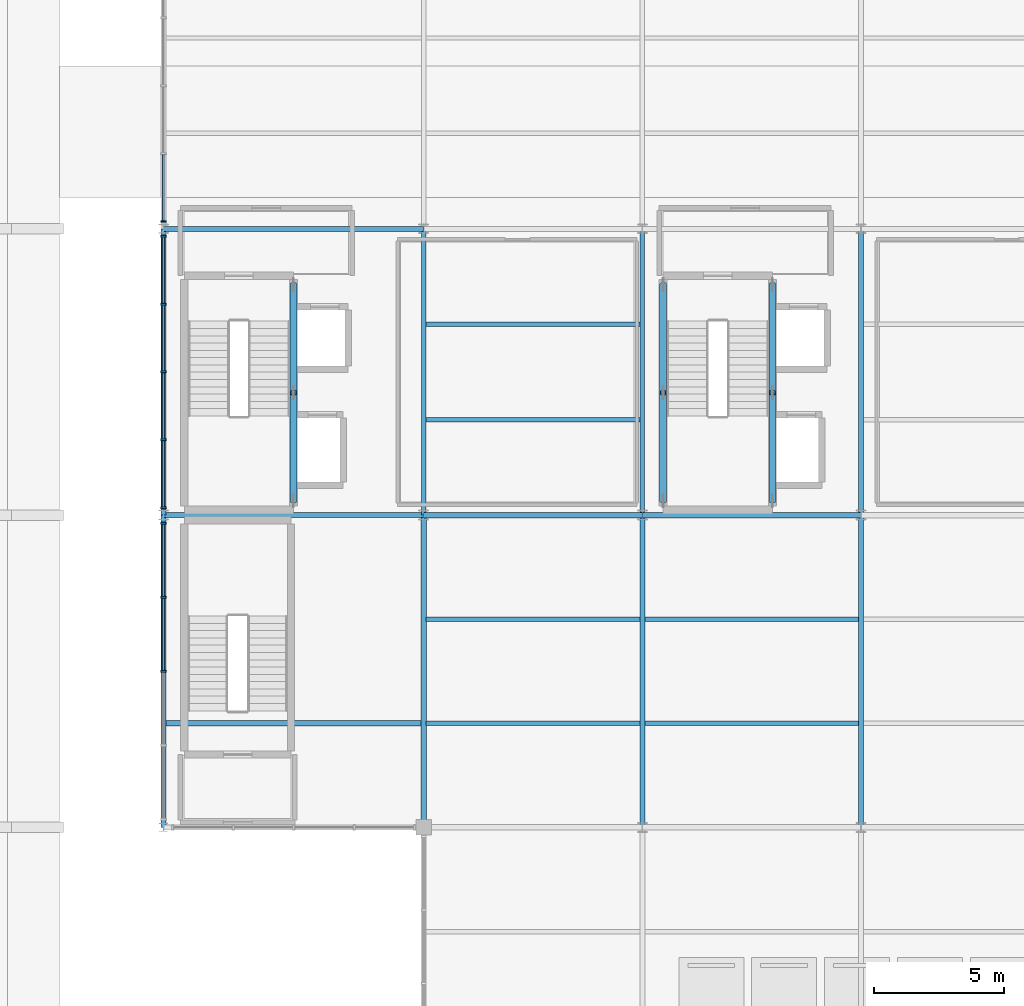
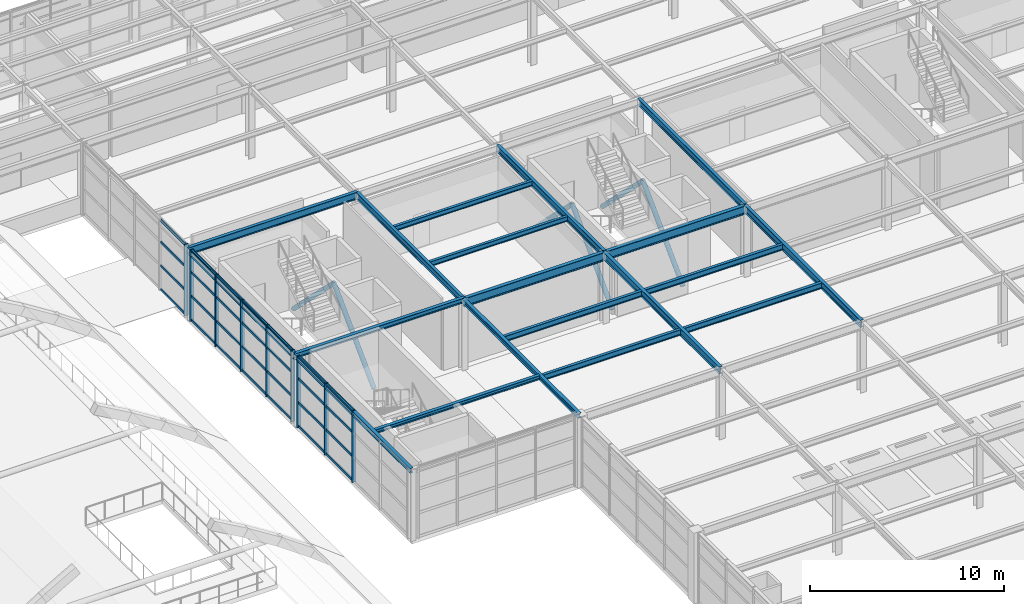
# One storey, part 32 of 82: 43 members, 19 beams, 3 elements without a shape of their own.
"""IFC4 building model written with IfcOpenShell, lengths in metres."""

from ifc_helpers import new_model, si_unit, direction, frame, origin, origin_2d, place, context, subcontext, project, spatial, rectangle, hollow_circle, i_section, extrude, material, layer, layer_set, material_profile, profile_set, type_object, element, aggregate, save


model = new_model("IFC4")

# Units and contexts
model_context = context("Model", 3, precision=1e-05, world=origin(), true_north=direction((0.0, 1.0)))
body_context = subcontext(model_context, "Body", "Model", "MODEL_VIEW")
ifc_project = project(units=[si_unit("LENGTHUNIT", "METRE"), si_unit("AREAUNIT", "SQUARE_METRE"), si_unit("VOLUMEUNIT", "CUBIC_METRE"), si_unit("PLANEANGLEUNIT", "RADIAN"), si_unit("MASSUNIT", "GRAM", prefix="KILO")], contexts=[model_context])

# Site, building, storey
site_placement = place(None, origin())
site = spatial("IfcSite", under=ifc_project, at=site_placement, CompositionType="ELEMENT")
building_placement = place(site_placement, origin())
building = spatial("IfcBuilding", under=site, at=building_placement, Name="Sitalva Quay Ferry Terminal", CompositionType="ELEMENT")
storey_placement = place(building_placement, frame((0.0, 0.0, 5.39990234375)))
storey = spatial("IfcBuildingStorey", under=building, at=storey_placement, Name="L02", CompositionType="ELEMENT", Elevation=5.39990234375)

# Beams
ifc_material_1 = material(Name="Structural Steel S355JR", Category="steel")
ifc_material_profile_1 = material_profile(ifc_material_1, i_section(OverallWidth=0.202880859375, OverallDepth=0.302978515625, WebThickness=0.007568359375, FlangeThickness=0.01318359375, FilletRadius=0.011962890625, at=origin_2d()), Name="W310x60")
ifc_profile_set_1 = profile_set([ifc_material_profile_1], Name="Structural Steel S355JR")
beam_type_1 = type_object("IfcBeamType", Name="Beam_W310x60", PredefinedType="BEAM", material=ifc_profile_set_1)
beam_1_placement = place(storey_placement, frame((74.0, 78.0, 4.3486328125), z_axis=(1.0, 0.0, 0.0), x_axis=(0.0, 1.0, 0.0)))
element("IfcBeam", 1, at=beam_1_placement, inside=storey, type_object=beam_type_1, Name="L02 Primary X girder 0705", PredefinedType="BEAM", context=body_context, shape_type="SweptSolid", body=[
    extrude(i_section(OverallWidth=0.202880859375, OverallDepth=0.302978515625, WebThickness=0.007568359375, FlangeThickness=0.01318359375, FilletRadius=0.011962890625, at=origin_2d()), origin(), (0.0, 0.0, 1.0), 10.0),
])
for number, where, z_axis, x_axis, name in (
    (2, (74.0, 66.0, 4.3486328125), (0.0, 1.0, 0.0), (-1.0, 0.0, 0.0), "L02 Primary Y girder 0706"),
    (3, (84.0, 66.0, 4.298583984375), (0.0, 1.0, 0.0), (-1.0, 0.0, 0.0), "L02 Primary Y girder 0707"),
):
    element("IfcBeam", number, at=place(storey_placement, frame(where, z_axis=z_axis, x_axis=x_axis)), inside=storey, type_object=beam_type_1, Name=name, PredefinedType="BEAM", context=body_context, shape_type="SweptSolid", body=[
        extrude(i_section(OverallWidth=0.202880859375, OverallDepth=0.302978515625, WebThickness=0.007568359375, FlangeThickness=0.01318359375, FilletRadius=0.011962890625, at=origin_2d()), origin(), (0.0, 0.0, 1.0), 12.0),
    ])
ifc_material_2 = material(Name="Structural Steel S355JR", Category="steel")
ifc_material_profile_2 = material_profile(ifc_material_2, i_section(OverallWidth=0.180908203125, OverallDepth=0.4169921875, WebThickness=0.010986328125, FlangeThickness=0.018310546875, FilletRadius=0.012939453125, at=origin_2d()), Name="W410x85")
ifc_profile_set_2 = profile_set([ifc_material_profile_2], Name="Structural Steel S355JR")
beam_type_2 = type_object("IfcBeamType", Name="Beam_W410x85", PredefinedType="BEAM", material=ifc_profile_set_2)
for number, where, z_axis, x_axis, name in (
    (4, (74.0, 78.0, 4.29150390625), (0.0, 1.0, 0.0), (-1.0, 0.0, 0.0), "L02 Primary Y girder 1018"),
    (5, (84.0, 78.0, 4.29150390625), (0.0, 1.0, 0.0), (-1.0, 0.0, 0.0), "L02 Primary Y girder 1021"),
    (6, (92.39990234375, 78.0, 4.29150390625), (0.0, 1.0, 0.0), (-1.0, 0.0, 0.0), "L02 Primary Y girder 1024"),
    (7, (100.800048828125, 78.0, 4.29150390625), (0.0, 1.0, 0.0), (-1.0, 0.0, 0.0), "L02 Primary Y girder 1027"),
):
    element("IfcBeam", number, at=place(storey_placement, frame(where, z_axis=z_axis, x_axis=x_axis)), inside=storey, type_object=beam_type_2, Name=name, PredefinedType="BEAM", context=body_context, shape_type="SweptSolid", body=[
        extrude(i_section(OverallWidth=0.180908203125, OverallDepth=0.4169921875, WebThickness=0.010986328125, FlangeThickness=0.018310546875, FilletRadius=0.012939453125, at=origin_2d()), origin(), (0.0, 0.0, 1.0), 11.0),
    ])
ifc_material_3 = material(Name="Structural Steel S355JR", Category="steel")
ifc_material_profile_3 = material_profile(ifc_material_3, i_section(OverallWidth=0.19091796875, OverallDepth=0.4599609375, WebThickness=0.010009765625, FlangeThickness=0.01611328125, FilletRadius=0.013916015625, at=origin_2d()), Name="W460x82")
ifc_profile_set_3 = profile_set([ifc_material_profile_3], Name="Structural Steel S355JR")
beam_type_3 = type_object("IfcBeamType", Name="Beam_W460x82", PredefinedType="BEAM", material=ifc_profile_set_3)
for number, where, z_axis, x_axis, name in (
    (8, (92.39990234375, 66.0, 4.22021484375), (0.0, 1.0, 0.0), (-1.0, 0.0, 0.0), "L02 Primary Y girder 0816"),
    (9, (100.800048828125, 66.0, 4.22021484375), (0.0, 1.0, 0.0), (-1.0, 0.0, 0.0), "L02 Primary Y girder 0821"),
):
    element("IfcBeam", number, at=place(storey_placement, frame(where, z_axis=z_axis, x_axis=x_axis)), inside=storey, type_object=beam_type_3, Name=name, PredefinedType="BEAM", context=body_context, shape_type="SweptSolid", body=[
        extrude(i_section(OverallWidth=0.19091796875, OverallDepth=0.4599609375, WebThickness=0.010009765625, FlangeThickness=0.01611328125, FilletRadius=0.013916015625, at=origin_2d()), origin(), (0.0, 0.0, 1.0), 12.0),
    ])
beam_2_placement = place(storey_placement, frame((74.0, 89.0, 4.27001953125), z_axis=(1.0, 0.0, 0.0), x_axis=(0.0, 1.0, 0.0)))
element("IfcBeam", 10, at=beam_2_placement, inside=storey, type_object=beam_type_3, Name="L02 Primary X girder 1000", PredefinedType="BEAM", context=body_context, shape_type="SweptSolid", body=[
    extrude(i_section(OverallWidth=0.19091796875, OverallDepth=0.4599609375, WebThickness=0.010009765625, FlangeThickness=0.01611328125, FilletRadius=0.013916015625, at=origin_2d()), origin(), (0.0, 0.0, 1.0), 10.0),
])

# Members
ifc_material_4 = material(Name="Structural Steel S355JR", Category="steel")
ifc_material_profile_4 = material_profile(ifc_material_4, hollow_circle(Radius=0.136474609375, WallThickness=0.010009765625, at=origin_2d()), Name="CHS273x10")
ifc_profile_set_4 = profile_set([ifc_material_profile_4], Name="Structural Steel S355JR")
member_type_1 = type_object("IfcMemberType", Name="Brace_CHS273x10", PredefinedType="BRACE", material=ifc_profile_set_4)
member_1_placement = place(storey_placement, frame((79.0, 78.550048828125, 0.150146484375), z_axis=(0.0, 0.708814408986, 0.705395019556), x_axis=(-1.0, 0.0, 0.0)))
element("IfcMember", 11, at=member_1_placement, inside=storey, type_object=member_type_1, Name="Braced frame BF2 L02 chevron A", PredefinedType="BRACE", context=body_context, shape_type="SweptSolid", body=[
    extrude(hollow_circle(Radius=0.136474609375, WallThickness=0.010009765625, at=origin_2d()), origin(), (0.0, 0.0, 1.0), 5.854736328125),
])
member_2_placement = place(storey_placement, frame((79.0, 82.699951171875, 4.280029296875), z_axis=(0.0, 0.708835157177, -0.705374170175), x_axis=(-1.0, 0.0, 0.0)))
element("IfcMember", 12, at=member_2_placement, inside=storey, type_object=member_type_1, Name="Braced frame BF2 L02 chevron B", PredefinedType="BRACE", context=body_context, shape_type="SweptSolid", body=[
    extrude(hollow_circle(Radius=0.136474609375, WallThickness=0.010009765625, at=origin_2d()), origin(), (0.0, 0.0, 1.0), 5.85498046875),
])
member_3_placement = place(storey_placement, frame((97.39990234375, 78.550048828125, 0.150146484375), z_axis=(0.0, 0.708814408986, 0.705395019556), x_axis=(-1.0, 0.0, 0.0)))
element("IfcMember", 13, at=member_3_placement, inside=storey, type_object=member_type_1, Name="Braced frame BF3 L02 chevron A", PredefinedType="BRACE", context=body_context, shape_type="SweptSolid", body=[
    extrude(hollow_circle(Radius=0.136474609375, WallThickness=0.010009765625, at=origin_2d()), origin(), (0.0, 0.0, 1.0), 5.854736328125),
])
member_4_placement = place(storey_placement, frame((97.39990234375, 82.699951171875, 4.280029296875), z_axis=(0.0, 0.708835157177, -0.705374170175), x_axis=(-1.0, 0.0, 0.0)))
element("IfcMember", 14, at=member_4_placement, inside=storey, type_object=member_type_1, Name="Braced frame BF3 L02 chevron B", PredefinedType="BRACE", context=body_context, shape_type="SweptSolid", body=[
    extrude(hollow_circle(Radius=0.136474609375, WallThickness=0.010009765625, at=origin_2d()), origin(), (0.0, 0.0, 1.0), 5.85498046875),
])
member_5_placement = place(storey_placement, frame((93.199951171875, 78.550048828125, 0.150146484375), z_axis=(0.0, 0.708814408986, 0.705395019556), x_axis=(-1.0, 0.0, 0.0)))
element("IfcMember", 15, at=member_5_placement, inside=storey, type_object=member_type_1, Name="Braced frame BF6 L02 chevron A", PredefinedType="BRACE", context=body_context, shape_type="SweptSolid", body=[
    extrude(hollow_circle(Radius=0.136474609375, WallThickness=0.010009765625, at=origin_2d()), origin(), (0.0, 0.0, 1.0), 5.854736328125),
])
member_6_placement = place(storey_placement, frame((93.199951171875, 82.699951171875, 4.280029296875), z_axis=(0.0, 0.708835157177, -0.705374170175), x_axis=(-1.0, 0.0, 0.0)))
element("IfcMember", 16, at=member_6_placement, inside=storey, type_object=member_type_1, Name="Braced frame BF6 L02 chevron B", PredefinedType="BRACE", context=body_context, shape_type="SweptSolid", body=[
    extrude(hollow_circle(Radius=0.136474609375, WallThickness=0.010009765625, at=origin_2d()), origin(), (0.0, 0.0, 1.0), 5.85498046875),
])

# Beams
ifc_material_5 = material(Name="Structural Steel S355JR", Category="steel")
ifc_material_profile_5 = material_profile(ifc_material_5, i_section(OverallWidth=0.2119140625, OverallDepth=0.5439453125, WebThickness=0.01318359375, FlangeThickness=0.021240234375, FilletRadius=0.014892578125, at=origin_2d()), Name="W530x123")
ifc_profile_set_5 = profile_set([ifc_material_profile_5], Name="Structural Steel S355JR")
beam_type_4 = type_object("IfcBeamType", Name="Girder_W530x123", PredefinedType="USERDEFINED", material=ifc_profile_set_5)
beam_3_placement = place(storey_placement, frame((84.0, 78.0, 4.177978515625), z_axis=(1.0, 0.0, 0.0), x_axis=(0.0, 1.0, 0.0)))
element("IfcBeam", 17, at=beam_3_placement, inside=storey, type_object=beam_type_4, Name="L02 Primary X girder 0799", ObjectType="GIRDER", PredefinedType="USERDEFINED", context=body_context, shape_type="SweptSolid", body=[
    extrude(i_section(OverallWidth=0.2119140625, OverallDepth=0.5439453125, WebThickness=0.01318359375, FlangeThickness=0.021240234375, FilletRadius=0.014892578125, at=origin_2d()), origin(), (0.0, 0.0, 1.0), 8.39990234375),
])
beam_4_placement = place(storey_placement, frame((92.39990234375, 78.0, 4.177978515625), z_axis=(1.0, 0.0, 0.0), x_axis=(0.0, 1.0, 0.0)))
element("IfcBeam", 18, at=beam_4_placement, inside=storey, type_object=beam_type_4, Name="L02 Primary X girder 0800", ObjectType="GIRDER", PredefinedType="USERDEFINED", context=body_context, shape_type="SweptSolid", body=[
    extrude(i_section(OverallWidth=0.2119140625, OverallDepth=0.5439453125, WebThickness=0.01318359375, FlangeThickness=0.021240234375, FilletRadius=0.014892578125, at=origin_2d()), origin(), (0.0, 0.0, 1.0), 8.400146484375),
])
ifc_material_6 = material(Name="Structural Steel S355JR", Category="steel")
ifc_material_profile_6 = material_profile(ifc_material_6, i_section(OverallWidth=0.201904296875, OverallDepth=0.2470703125, WebThickness=0.00732421875, FlangeThickness=0.010986328125, FilletRadius=0.010986328125, at=origin_2d()), Name="W250x49")
ifc_profile_set_6 = profile_set([ifc_material_profile_6], Name="Structural Steel S355JR")
beam_type_5 = type_object("IfcBeamType", Name="Joist_W250x49", PredefinedType="JOIST", material=ifc_profile_set_6)
beam_5_placement = place(storey_placement, frame((74.10009765625, 70.0, 4.376708984375), z_axis=(1.0, 0.0, 0.0), x_axis=(0.0, 1.0, 0.0)))
element("IfcBeam", 19, at=beam_5_placement, inside=storey, type_object=beam_type_5, Name="L02 Secondary joist 0708", PredefinedType="JOIST", context=body_context, shape_type="SweptSolid", body=[
    extrude(i_section(OverallWidth=0.201904296875, OverallDepth=0.2470703125, WebThickness=0.00732421875, FlangeThickness=0.010986328125, FilletRadius=0.010986328125, at=origin_2d()), origin(), (0.0, 0.0, 1.0), 9.7998046875),
])
ifc_material_7 = material(Name="Structural Steel S355JR", Category="steel")
ifc_material_profile_7 = material_profile(ifc_material_7, i_section(OverallWidth=0.166015625, OverallDepth=0.31298828125, WebThickness=0.006591796875, FlangeThickness=0.01123046875, FilletRadius=0.010986328125, at=origin_2d()), Name="W310x45")
ifc_profile_set_7 = profile_set([ifc_material_profile_7], Name="Structural Steel S355JR")
beam_type_6 = type_object("IfcBeamType", Name="Joist_W310x45", PredefinedType="JOIST", material=ifc_profile_set_7)
for number, where, z_axis, x_axis, name in (
    (20, (84.090576171875, 81.666748046875, 4.343505859375), (1.0, 0.0, 0.0), (0.0, 1.0, 0.0), "L02 Secondary joist 1039"),
    (21, (84.090576171875, 85.333251953125, 4.343505859375), (1.0, 0.0, 0.0), (0.0, 1.0, 0.0), "L02 Secondary joist 1042"),
):
    element("IfcBeam", number, at=place(storey_placement, frame(where, z_axis=z_axis, x_axis=x_axis)), inside=storey, type_object=beam_type_6, Name=name, PredefinedType="JOIST", context=body_context, shape_type="SweptSolid", body=[
        extrude(i_section(OverallWidth=0.166015625, OverallDepth=0.31298828125, WebThickness=0.006591796875, FlangeThickness=0.01123046875, FilletRadius=0.010986328125, at=origin_2d()), origin(), (0.0, 0.0, 1.0), 8.218994140625),
    ])
ifc_material_8 = material(Name="Structural Steel S355JR", Category="steel")
ifc_material_profile_8 = material_profile(ifc_material_8, i_section(OverallWidth=0.172119140625, OverallDepth=0.35791015625, WebThickness=0.0078125, FlangeThickness=0.01318359375, FilletRadius=0.011962890625, at=origin_2d()), Name="W360x57")
ifc_profile_set_8 = profile_set([ifc_material_profile_8], Name="Structural Steel S355JR")
beam_type_7 = type_object("IfcBeamType", Name="Joist_W360x57", PredefinedType="JOIST", material=ifc_profile_set_8)
for number, where, z_axis, x_axis, name in (
    (22, (84.095458984375, 70.0, 4.27099609375), (1.0, 0.0, 0.0), (0.0, 1.0, 0.0), "L02 Secondary joist 0940"),
    (23, (92.49560546875, 70.0, 4.27099609375), (1.0, 0.0, 0.0), (0.0, 1.0, 0.0), "L02 Secondary joist 0941"),
    (24, (84.095458984375, 74.0, 4.27099609375), (1.0, 0.0, 0.0), (0.0, 1.0, 0.0), "L02 Secondary joist 0949"),
    (25, (92.49560546875, 74.0, 4.27099609375), (1.0, 0.0, 0.0), (0.0, 1.0, 0.0), "L02 Secondary joist 0950"),
):
    element("IfcBeam", number, at=place(storey_placement, frame(where, z_axis=z_axis, x_axis=x_axis)), inside=storey, type_object=beam_type_7, Name=name, PredefinedType="JOIST", context=body_context, shape_type="SweptSolid", body=[
        extrude(i_section(OverallWidth=0.172119140625, OverallDepth=0.35791015625, WebThickness=0.0078125, FlangeThickness=0.01318359375, FilletRadius=0.011962890625, at=origin_2d()), origin(), (0.0, 0.0, 1.0), 8.208984375),
    ])

# Curtain wall, members
ifc_material_9 = material(Name="Anodised Aluminium & Low-E Glazing", Category="aluminium")
ifc_layer_1 = layer(ifc_material_9, 0.159912109375)
ifc_layer_set_1 = layer_set([ifc_layer_1], Name="Anodised Aluminium & Low-E Glazing")
curtain_wall_type_1 = type_object("IfcCurtainWallType", Name="CW_Podium_Stick", PredefinedType="USERDEFINED", material=ifc_layer_set_1)
curtain_wall_1_placement = place(storey_placement, origin())
curtain_wall_1 = element("IfcCurtainWall", 26, at=curtain_wall_1_placement, inside=storey, type_object=curtain_wall_type_1, Name="L02 spine west clerestory over V1 eaves (CW-L02-085)", ObjectType="CURTAIN_WALL", PredefinedType="USERDEFINED")
ifc_material_10 = material(Name="Anodised Aluminium 6063-T6", Category="aluminium")
ifc_material_profile_9 = material_profile(ifc_material_10, rectangle(XDim=0.074951171875, YDim=0.219970703125, at=origin_2d()), Name="ALU75x220")
ifc_profile_set_9 = profile_set([ifc_material_profile_9], Name="Anodised Aluminium 6063-T6")
member_type_2 = type_object("IfcMemberType", Name="Mullion_Alu_75x160", PredefinedType="MULLION", material=ifc_profile_set_9)
member_7_placement = place(storey_placement, frame((74.0, 72.0, 0.0), z_axis=(0.0, 0.0, 1.0), x_axis=(0.0, 1.0, 0.0)))
member_7 = element("IfcMember", 27, at=member_7_placement, type_object=member_type_2, Name="CW-L02-085-M2", PredefinedType="MULLION", context=body_context, shape_type="SweptSolid", body=[
    extrude(rectangle(XDim=0.074951171875, YDim=0.219970703125, at=origin_2d()), origin(), (0.0, 0.0, 1.0), 4.5),
])
member_8_placement = place(storey_placement, frame((74.0, 74.840087890625, 0.0), z_axis=(0.0, 0.0, 1.0), x_axis=(0.0, 1.0, 0.0)))
member_8 = element("IfcMember", 28, at=member_8_placement, type_object=member_type_2, Name="CW-L02-085-M3", PredefinedType="MULLION", context=body_context, shape_type="SweptSolid", body=[
    extrude(rectangle(XDim=0.074951171875, YDim=0.219970703125, at=origin_2d()), origin(), (0.0, 0.0, 1.0), 4.5),
])
member_9_placement = place(storey_placement, frame((74.0, 77.679931640625, 0.0), z_axis=(0.0, 0.0, 1.0), x_axis=(0.0, 1.0, 0.0)))
member_9 = element("IfcMember", 29, at=member_9_placement, type_object=member_type_2, Name="CW-L02-085-M4", PredefinedType="MULLION", context=body_context, shape_type="SweptSolid", body=[
    extrude(rectangle(XDim=0.074951171875, YDim=0.219970703125, at=origin_2d()), origin(), (0.0, 0.0, 1.0), 4.5),
])

ifc_material_11 = material(Name="Anodised Aluminium & Low-E Glazing", Category="aluminium")
ifc_layer_2 = layer(ifc_material_11, 0.159912109375)
ifc_layer_set_2 = layer_set([ifc_layer_2], Name="Anodised Aluminium & Low-E Glazing")
curtain_wall_type_2 = type_object("IfcCurtainWallType", Name="CW_Office_Unitised", PredefinedType="USERDEFINED", material=ifc_layer_set_2)
curtain_wall_2_placement = place(storey_placement, origin())
curtain_wall_2 = element("IfcCurtainWall", 30, at=curtain_wall_2_placement, inside=storey, type_object=curtain_wall_type_2, Name="L02 east wing west glazing overlooking V1 (CW-L02-110)", ObjectType="CURTAIN_WALL", PredefinedType="USERDEFINED")
member_10_placement = place(storey_placement, frame((74.0, 78.280029296875, 0.0), z_axis=(0.0, 0.0, 1.0), x_axis=(0.0, 1.0, 0.0)))
member_10 = element("IfcMember", 31, at=member_10_placement, type_object=member_type_2, Name="CW-L02-110-M0", PredefinedType="MULLION", context=body_context, shape_type="SweptSolid", body=[
    extrude(rectangle(XDim=0.074951171875, YDim=0.219970703125, at=origin_2d()), origin(), (0.0, 0.0, 1.0), 4.5),
])
member_11_placement = place(storey_placement, frame((74.0, 80.889892578125, 0.0), z_axis=(0.0, 0.0, 1.0), x_axis=(0.0, 1.0, 0.0)))
member_11 = element("IfcMember", 32, at=member_11_placement, type_object=member_type_2, Name="CW-L02-110-M1", PredefinedType="MULLION", context=body_context, shape_type="SweptSolid", body=[
    extrude(rectangle(XDim=0.074951171875, YDim=0.219970703125, at=origin_2d()), origin(), (0.0, 0.0, 1.0), 4.5),
])
member_12_placement = place(storey_placement, frame((74.0, 83.5, 0.0), z_axis=(0.0, 0.0, 1.0), x_axis=(0.0, 1.0, 0.0)))
member_12 = element("IfcMember", 33, at=member_12_placement, type_object=member_type_2, Name="CW-L02-110-M2", PredefinedType="MULLION", context=body_context, shape_type="SweptSolid", body=[
    extrude(rectangle(XDim=0.074951171875, YDim=0.219970703125, at=origin_2d()), origin(), (0.0, 0.0, 1.0), 4.5),
])
member_13_placement = place(storey_placement, frame((74.0, 86.110107421875, 0.0), z_axis=(0.0, 0.0, 1.0), x_axis=(0.0, 1.0, 0.0)))
member_13 = element("IfcMember", 34, at=member_13_placement, type_object=member_type_2, Name="CW-L02-110-M3", PredefinedType="MULLION", context=body_context, shape_type="SweptSolid", body=[
    extrude(rectangle(XDim=0.074951171875, YDim=0.219970703125, at=origin_2d()), origin(), (0.0, 0.0, 1.0), 4.5),
])
member_14_placement = place(storey_placement, frame((74.0, 88.719970703125, 0.0), z_axis=(0.0, 0.0, 1.0), x_axis=(0.0, 1.0, 0.0)))
member_14 = element("IfcMember", 35, at=member_14_placement, type_object=member_type_2, Name="CW-L02-110-M4", PredefinedType="MULLION", context=body_context, shape_type="SweptSolid", body=[
    extrude(rectangle(XDim=0.074951171875, YDim=0.219970703125, at=origin_2d()), origin(), (0.0, 0.0, 1.0), 4.5),
])

# Curtain wall, member
curtain_wall_3_placement = place(storey_placement, origin())
curtain_wall_3 = element("IfcCurtainWall", 36, at=curtain_wall_3_placement, inside=storey, type_object=curtain_wall_type_2, Name="L02 east wing west glazing overlooking V1 (CW-L02-112)", ObjectType="CURTAIN_WALL", PredefinedType="USERDEFINED")
member_15_placement = place(storey_placement, frame((74.0, 89.280029296875, 0.0), z_axis=(0.0, 0.0, 1.0), x_axis=(0.0, 1.0, 0.0)))
member_15 = element("IfcMember", 37, at=member_15_placement, type_object=member_type_2, Name="CW-L02-112-M0", PredefinedType="MULLION", context=body_context, shape_type="SweptSolid", body=[
    extrude(rectangle(XDim=0.074951171875, YDim=0.219970703125, at=origin_2d()), origin(), (0.0, 0.0, 1.0), 4.5),
])

# Member
ifc_material_12 = material(Name="Anodised Aluminium 6063-T6", Category="aluminium")
ifc_material_profile_10 = material_profile(ifc_material_12, rectangle(XDim=0.074951171875, YDim=0.155029296875, at=origin_2d()), Name="ALU75x155")
ifc_profile_set_10 = profile_set([ifc_material_profile_10], Name="Anodised Aluminium 6063-T6")
member_type_3 = type_object("IfcMemberType", Name="Transom_Alu_70x135", PredefinedType="MULLION", material=ifc_profile_set_10)
member_16_placement = place(storey_placement, frame((74.0, 72.03759765625, 0.07763671875), z_axis=(0.0, 1.0, 0.0), x_axis=(-1.0, 0.0, 0.0)))
member_16 = element("IfcMember", 38, at=member_16_placement, type_object=member_type_3, Name="CW-L02-085-T2-0", ObjectType="TRANSOM", PredefinedType="USERDEFINED", context=body_context, shape_type="SweptSolid", body=[
    extrude(rectangle(XDim=0.074951171875, YDim=0.155029296875, at=origin_2d()), origin(), (0.0, 0.0, 1.0), 2.764892578125),
])

member_17_placement = place(storey_placement, frame((74.0, 72.03759765625, 1.57763671875), z_axis=(0.0, 1.0, 0.0), x_axis=(-1.0, 0.0, 0.0)))
member_17 = element("IfcMember", 39, at=member_17_placement, type_object=member_type_3, Name="CW-L02-085-T2-1", ObjectType="TRANSOM", PredefinedType="USERDEFINED", context=body_context, shape_type="SweptSolid", body=[
    extrude(rectangle(XDim=0.074951171875, YDim=0.155029296875, at=origin_2d()), origin(), (0.0, 0.0, 1.0), 2.764892578125),
])

member_18_placement = place(storey_placement, frame((74.0, 72.03759765625, 3.07763671875), z_axis=(0.0, 1.0, 0.0), x_axis=(-1.0, 0.0, 0.0)))
member_18 = element("IfcMember", 40, at=member_18_placement, type_object=member_type_3, Name="CW-L02-085-T2-2", ObjectType="TRANSOM", PredefinedType="USERDEFINED", context=body_context, shape_type="SweptSolid", body=[
    extrude(rectangle(XDim=0.074951171875, YDim=0.155029296875, at=origin_2d()), origin(), (0.0, 0.0, 1.0), 2.764892578125),
])

member_19_placement = place(storey_placement, frame((74.0, 72.03759765625, 4.422607421875), z_axis=(0.0, 1.0, 0.0), x_axis=(-1.0, 0.0, 0.0)))
member_19 = element("IfcMember", 41, at=member_19_placement, type_object=member_type_3, Name="CW-L02-085-T2-3", ObjectType="TRANSOM", PredefinedType="USERDEFINED", context=body_context, shape_type="SweptSolid", body=[
    extrude(rectangle(XDim=0.074951171875, YDim=0.155029296875, at=origin_2d()), origin(), (0.0, 0.0, 1.0), 2.764892578125),
])

member_20_placement = place(storey_placement, frame((74.0, 74.87744140625, 0.07763671875), z_axis=(0.0, 1.0, 0.0), x_axis=(-1.0, 0.0, 0.0)))
member_20 = element("IfcMember", 42, at=member_20_placement, type_object=member_type_3, Name="CW-L02-085-T3-0", ObjectType="TRANSOM", PredefinedType="USERDEFINED", context=body_context, shape_type="SweptSolid", body=[
    extrude(rectangle(XDim=0.074951171875, YDim=0.155029296875, at=origin_2d()), origin(), (0.0, 0.0, 1.0), 2.76513671875),
])

member_21_placement = place(storey_placement, frame((74.0, 74.87744140625, 1.57763671875), z_axis=(0.0, 1.0, 0.0), x_axis=(-1.0, 0.0, 0.0)))
member_21 = element("IfcMember", 43, at=member_21_placement, type_object=member_type_3, Name="CW-L02-085-T3-1", ObjectType="TRANSOM", PredefinedType="USERDEFINED", context=body_context, shape_type="SweptSolid", body=[
    extrude(rectangle(XDim=0.074951171875, YDim=0.155029296875, at=origin_2d()), origin(), (0.0, 0.0, 1.0), 2.76513671875),
])

member_22_placement = place(storey_placement, frame((74.0, 74.87744140625, 3.07763671875), z_axis=(0.0, 1.0, 0.0), x_axis=(-1.0, 0.0, 0.0)))
member_22 = element("IfcMember", 44, at=member_22_placement, type_object=member_type_3, Name="CW-L02-085-T3-2", ObjectType="TRANSOM", PredefinedType="USERDEFINED", context=body_context, shape_type="SweptSolid", body=[
    extrude(rectangle(XDim=0.074951171875, YDim=0.155029296875, at=origin_2d()), origin(), (0.0, 0.0, 1.0), 2.76513671875),
])

member_23_placement = place(storey_placement, frame((74.0, 74.87744140625, 4.422607421875), z_axis=(0.0, 1.0, 0.0), x_axis=(-1.0, 0.0, 0.0)))
member_23 = element("IfcMember", 45, at=member_23_placement, type_object=member_type_3, Name="CW-L02-085-T3-3", ObjectType="TRANSOM", PredefinedType="USERDEFINED", context=body_context, shape_type="SweptSolid", body=[
    extrude(rectangle(XDim=0.074951171875, YDim=0.155029296875, at=origin_2d()), origin(), (0.0, 0.0, 1.0), 2.76513671875),
])

aggregate(curtain_wall_1, [member_7, member_8, member_9, member_16, member_17, member_18, member_19, member_20, member_21, member_22, member_23])

ifc_material_13 = material(Name="Anodised Aluminium 6063-T6", Category="aluminium")
ifc_material_profile_11 = material_profile(ifc_material_13, rectangle(XDim=0.074951171875, YDim=0.14990234375, at=origin_2d()), Name="ALU75x150")
ifc_profile_set_11 = profile_set([ifc_material_profile_11], Name="Anodised Aluminium 6063-T6")
member_type_4 = type_object("IfcMemberType", Name="Transom_Alu_75x140", PredefinedType="MULLION", material=ifc_profile_set_11)
member_24_placement = place(storey_placement, frame((74.0, 78.3173828125, 0.0751953125), z_axis=(0.0, 1.0, 0.0), x_axis=(-1.0, 0.0, 0.0)))
member_24 = element("IfcMember", 46, at=member_24_placement, type_object=member_type_4, Name="CW-L02-110-T0-0", ObjectType="TRANSOM", PredefinedType="USERDEFINED", context=body_context, shape_type="SweptSolid", body=[
    extrude(rectangle(XDim=0.074951171875, YDim=0.14990234375, at=origin_2d()), origin(), (0.0, 0.0, 1.0), 2.53515625),
])

member_25_placement = place(storey_placement, frame((74.0, 78.3173828125, 1.5751953125), z_axis=(0.0, 1.0, 0.0), x_axis=(-1.0, 0.0, 0.0)))
member_25 = element("IfcMember", 47, at=member_25_placement, type_object=member_type_4, Name="CW-L02-110-T0-1", ObjectType="TRANSOM", PredefinedType="USERDEFINED", context=body_context, shape_type="SweptSolid", body=[
    extrude(rectangle(XDim=0.074951171875, YDim=0.14990234375, at=origin_2d()), origin(), (0.0, 0.0, 1.0), 2.53515625),
])

member_26_placement = place(storey_placement, frame((74.0, 78.3173828125, 3.0751953125), z_axis=(0.0, 1.0, 0.0), x_axis=(-1.0, 0.0, 0.0)))
member_26 = element("IfcMember", 48, at=member_26_placement, type_object=member_type_4, Name="CW-L02-110-T0-2", ObjectType="TRANSOM", PredefinedType="USERDEFINED", context=body_context, shape_type="SweptSolid", body=[
    extrude(rectangle(XDim=0.074951171875, YDim=0.14990234375, at=origin_2d()), origin(), (0.0, 0.0, 1.0), 2.53515625),
])

member_27_placement = place(storey_placement, frame((74.0, 78.3173828125, 4.425048828125), z_axis=(0.0, 1.0, 0.0), x_axis=(-1.0, 0.0, 0.0)))
member_27 = element("IfcMember", 49, at=member_27_placement, type_object=member_type_4, Name="CW-L02-110-T0-3", ObjectType="TRANSOM", PredefinedType="USERDEFINED", context=body_context, shape_type="SweptSolid", body=[
    extrude(rectangle(XDim=0.074951171875, YDim=0.14990234375, at=origin_2d()), origin(), (0.0, 0.0, 1.0), 2.53515625),
])

member_28_placement = place(storey_placement, frame((74.0, 80.927490234375, 0.0751953125), z_axis=(0.0, 1.0, 0.0), x_axis=(-1.0, 0.0, 0.0)))
member_28 = element("IfcMember", 50, at=member_28_placement, type_object=member_type_4, Name="CW-L02-110-T1-0", ObjectType="TRANSOM", PredefinedType="USERDEFINED", context=body_context, shape_type="SweptSolid", body=[
    extrude(rectangle(XDim=0.074951171875, YDim=0.14990234375, at=origin_2d()), origin(), (0.0, 0.0, 1.0), 2.534912109375),
])

member_29_placement = place(storey_placement, frame((74.0, 80.927490234375, 1.5751953125), z_axis=(0.0, 1.0, 0.0), x_axis=(-1.0, 0.0, 0.0)))
member_29 = element("IfcMember", 51, at=member_29_placement, type_object=member_type_4, Name="CW-L02-110-T1-1", ObjectType="TRANSOM", PredefinedType="USERDEFINED", context=body_context, shape_type="SweptSolid", body=[
    extrude(rectangle(XDim=0.074951171875, YDim=0.14990234375, at=origin_2d()), origin(), (0.0, 0.0, 1.0), 2.534912109375),
])

member_30_placement = place(storey_placement, frame((74.0, 80.927490234375, 3.0751953125), z_axis=(0.0, 1.0, 0.0), x_axis=(-1.0, 0.0, 0.0)))
member_30 = element("IfcMember", 52, at=member_30_placement, type_object=member_type_4, Name="CW-L02-110-T1-2", ObjectType="TRANSOM", PredefinedType="USERDEFINED", context=body_context, shape_type="SweptSolid", body=[
    extrude(rectangle(XDim=0.074951171875, YDim=0.14990234375, at=origin_2d()), origin(), (0.0, 0.0, 1.0), 2.534912109375),
])

member_31_placement = place(storey_placement, frame((74.0, 80.927490234375, 4.425048828125), z_axis=(0.0, 1.0, 0.0), x_axis=(-1.0, 0.0, 0.0)))
member_31 = element("IfcMember", 53, at=member_31_placement, type_object=member_type_4, Name="CW-L02-110-T1-3", ObjectType="TRANSOM", PredefinedType="USERDEFINED", context=body_context, shape_type="SweptSolid", body=[
    extrude(rectangle(XDim=0.074951171875, YDim=0.14990234375, at=origin_2d()), origin(), (0.0, 0.0, 1.0), 2.534912109375),
])

member_32_placement = place(storey_placement, frame((74.0, 83.53759765625, 0.0751953125), z_axis=(0.0, 1.0, 0.0), x_axis=(-1.0, 0.0, 0.0)))
member_32 = element("IfcMember", 54, at=member_32_placement, type_object=member_type_4, Name="CW-L02-110-T2-0", ObjectType="TRANSOM", PredefinedType="USERDEFINED", context=body_context, shape_type="SweptSolid", body=[
    extrude(rectangle(XDim=0.074951171875, YDim=0.14990234375, at=origin_2d()), origin(), (0.0, 0.0, 1.0), 2.534912109375),
])

member_33_placement = place(storey_placement, frame((74.0, 83.53759765625, 1.5751953125), z_axis=(0.0, 1.0, 0.0), x_axis=(-1.0, 0.0, 0.0)))
member_33 = element("IfcMember", 55, at=member_33_placement, type_object=member_type_4, Name="CW-L02-110-T2-1", ObjectType="TRANSOM", PredefinedType="USERDEFINED", context=body_context, shape_type="SweptSolid", body=[
    extrude(rectangle(XDim=0.074951171875, YDim=0.14990234375, at=origin_2d()), origin(), (0.0, 0.0, 1.0), 2.534912109375),
])

member_34_placement = place(storey_placement, frame((74.0, 83.53759765625, 3.0751953125), z_axis=(0.0, 1.0, 0.0), x_axis=(-1.0, 0.0, 0.0)))
member_34 = element("IfcMember", 56, at=member_34_placement, type_object=member_type_4, Name="CW-L02-110-T2-2", ObjectType="TRANSOM", PredefinedType="USERDEFINED", context=body_context, shape_type="SweptSolid", body=[
    extrude(rectangle(XDim=0.074951171875, YDim=0.14990234375, at=origin_2d()), origin(), (0.0, 0.0, 1.0), 2.534912109375),
])

member_35_placement = place(storey_placement, frame((74.0, 83.53759765625, 4.425048828125), z_axis=(0.0, 1.0, 0.0), x_axis=(-1.0, 0.0, 0.0)))
member_35 = element("IfcMember", 57, at=member_35_placement, type_object=member_type_4, Name="CW-L02-110-T2-3", ObjectType="TRANSOM", PredefinedType="USERDEFINED", context=body_context, shape_type="SweptSolid", body=[
    extrude(rectangle(XDim=0.074951171875, YDim=0.14990234375, at=origin_2d()), origin(), (0.0, 0.0, 1.0), 2.534912109375),
])

member_36_placement = place(storey_placement, frame((74.0, 86.1474609375, 0.0751953125), z_axis=(0.0, 1.0, 0.0), x_axis=(-1.0, 0.0, 0.0)))
member_36 = element("IfcMember", 58, at=member_36_placement, type_object=member_type_4, Name="CW-L02-110-T3-0", ObjectType="TRANSOM", PredefinedType="USERDEFINED", context=body_context, shape_type="SweptSolid", body=[
    extrude(rectangle(XDim=0.074951171875, YDim=0.14990234375, at=origin_2d()), origin(), (0.0, 0.0, 1.0), 2.53515625),
])

member_37_placement = place(storey_placement, frame((74.0, 86.1474609375, 1.5751953125), z_axis=(0.0, 1.0, 0.0), x_axis=(-1.0, 0.0, 0.0)))
member_37 = element("IfcMember", 59, at=member_37_placement, type_object=member_type_4, Name="CW-L02-110-T3-1", ObjectType="TRANSOM", PredefinedType="USERDEFINED", context=body_context, shape_type="SweptSolid", body=[
    extrude(rectangle(XDim=0.074951171875, YDim=0.14990234375, at=origin_2d()), origin(), (0.0, 0.0, 1.0), 2.53515625),
])

member_38_placement = place(storey_placement, frame((74.0, 86.1474609375, 3.0751953125), z_axis=(0.0, 1.0, 0.0), x_axis=(-1.0, 0.0, 0.0)))
member_38 = element("IfcMember", 60, at=member_38_placement, type_object=member_type_4, Name="CW-L02-110-T3-2", ObjectType="TRANSOM", PredefinedType="USERDEFINED", context=body_context, shape_type="SweptSolid", body=[
    extrude(rectangle(XDim=0.074951171875, YDim=0.14990234375, at=origin_2d()), origin(), (0.0, 0.0, 1.0), 2.53515625),
])

member_39_placement = place(storey_placement, frame((74.0, 86.1474609375, 4.425048828125), z_axis=(0.0, 1.0, 0.0), x_axis=(-1.0, 0.0, 0.0)))
member_39 = element("IfcMember", 61, at=member_39_placement, type_object=member_type_4, Name="CW-L02-110-T3-3", ObjectType="TRANSOM", PredefinedType="USERDEFINED", context=body_context, shape_type="SweptSolid", body=[
    extrude(rectangle(XDim=0.074951171875, YDim=0.14990234375, at=origin_2d()), origin(), (0.0, 0.0, 1.0), 2.53515625),
])

aggregate(curtain_wall_2, [member_10, member_11, member_12, member_13, member_14, member_24, member_25, member_26, member_27, member_28, member_29, member_30, member_31, member_32, member_33, member_34, member_35, member_36, member_37, member_38, member_39])

member_40_placement = place(storey_placement, frame((74.0, 89.3173828125, 0.0751953125), z_axis=(0.0, 1.0, 0.0), x_axis=(-1.0, 0.0, 0.0)))
member_40 = element("IfcMember", 62, at=member_40_placement, type_object=member_type_4, Name="CW-L02-112-T0-0", ObjectType="TRANSOM", PredefinedType="USERDEFINED", context=body_context, shape_type="SweptSolid", body=[
    extrude(rectangle(XDim=0.074951171875, YDim=0.14990234375, at=origin_2d()), origin(), (0.0, 0.0, 1.0), 2.53515625),
])

member_41_placement = place(storey_placement, frame((74.0, 89.3173828125, 1.5751953125), z_axis=(0.0, 1.0, 0.0), x_axis=(-1.0, 0.0, 0.0)))
member_41 = element("IfcMember", 63, at=member_41_placement, type_object=member_type_4, Name="CW-L02-112-T0-1", ObjectType="TRANSOM", PredefinedType="USERDEFINED", context=body_context, shape_type="SweptSolid", body=[
    extrude(rectangle(XDim=0.074951171875, YDim=0.14990234375, at=origin_2d()), origin(), (0.0, 0.0, 1.0), 2.53515625),
])

member_42_placement = place(storey_placement, frame((74.0, 89.3173828125, 3.0751953125), z_axis=(0.0, 1.0, 0.0), x_axis=(-1.0, 0.0, 0.0)))
member_42 = element("IfcMember", 64, at=member_42_placement, type_object=member_type_4, Name="CW-L02-112-T0-2", ObjectType="TRANSOM", PredefinedType="USERDEFINED", context=body_context, shape_type="SweptSolid", body=[
    extrude(rectangle(XDim=0.074951171875, YDim=0.14990234375, at=origin_2d()), origin(), (0.0, 0.0, 1.0), 2.53515625),
])

member_43_placement = place(storey_placement, frame((74.0, 89.3173828125, 4.425048828125), z_axis=(0.0, 1.0, 0.0), x_axis=(-1.0, 0.0, 0.0)))
member_43 = element("IfcMember", 65, at=member_43_placement, type_object=member_type_4, Name="CW-L02-112-T0-3", ObjectType="TRANSOM", PredefinedType="USERDEFINED", context=body_context, shape_type="SweptSolid", body=[
    extrude(rectangle(XDim=0.074951171875, YDim=0.14990234375, at=origin_2d()), origin(), (0.0, 0.0, 1.0), 2.53515625),
])

aggregate(curtain_wall_3, [member_15, member_40, member_41, member_42, member_43])

save(model, "model.ifc")
